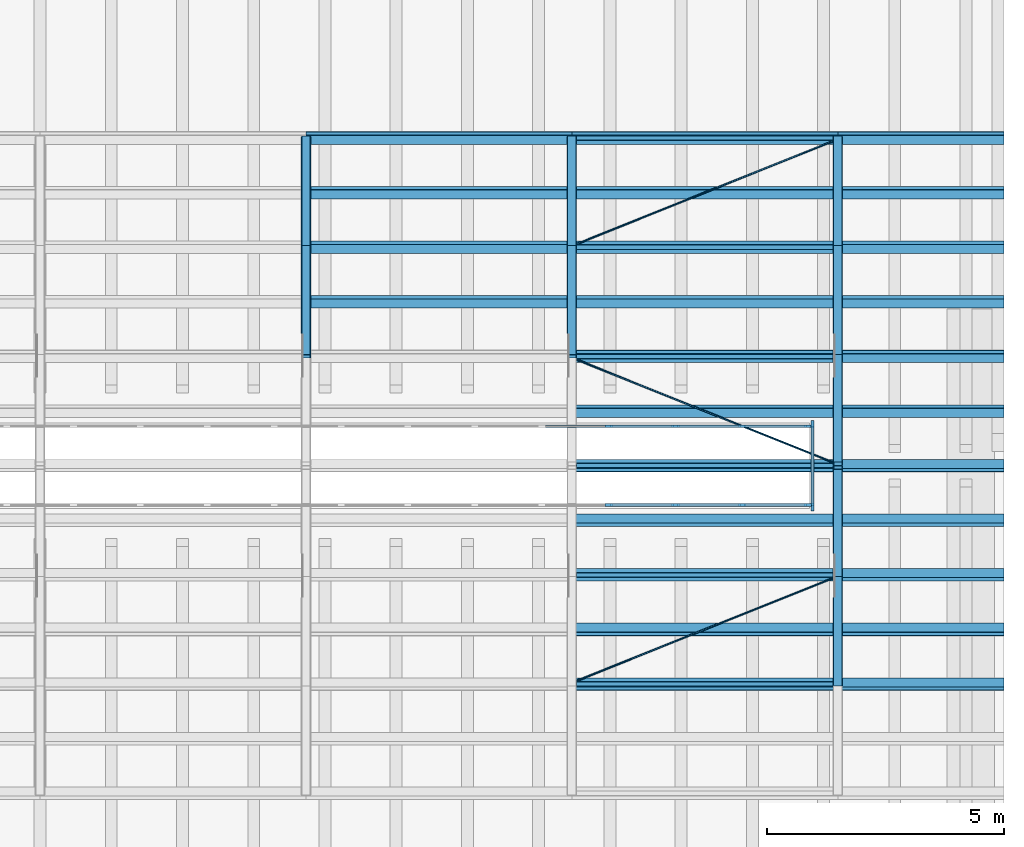
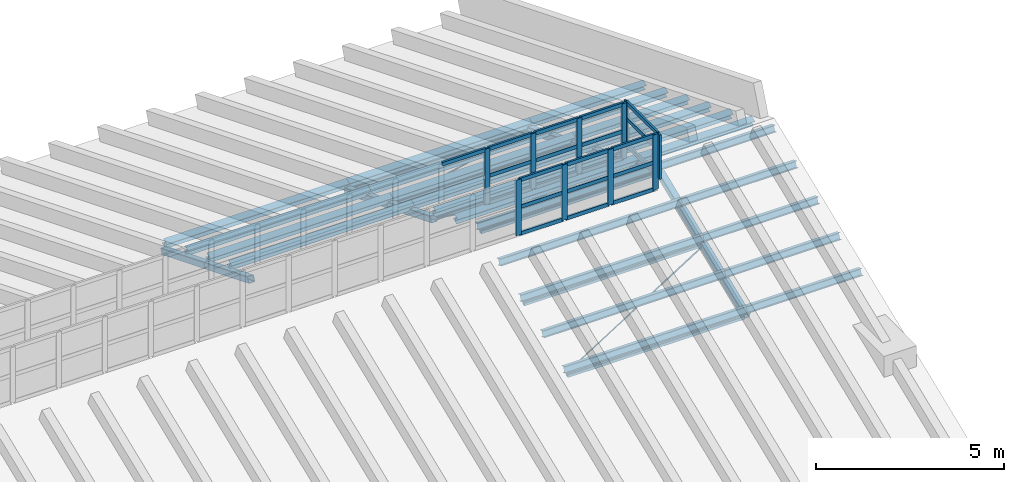
# One storey, part 42 of 105: 76 members, 3 elements without a shape of their own.
"""IFC4 building model written with IfcOpenShell, lengths in metres."""

from ifc_helpers import new_model, si_unit, direction, frame, origin, origin_2d, place, context, subcontext, project, spatial, rectangle, hollow_rectangle, circle, i_section, extrude, material, layer, layer_set, material_profile, profile_set, type_object, element, aggregate, save


model = new_model("IFC4")

# Units and contexts
model_context = context("Model", 3, precision=1e-05, world=origin(), true_north=direction((0.0, 1.0)))
body_context = subcontext(model_context, "Body", "Model", "MODEL_VIEW")
ifc_project = project(units=[si_unit("LENGTHUNIT", "METRE"), si_unit("AREAUNIT", "SQUARE_METRE"), si_unit("VOLUMEUNIT", "CUBIC_METRE"), si_unit("PLANEANGLEUNIT", "RADIAN"), si_unit("MASSUNIT", "GRAM", prefix="KILO")], contexts=[model_context])

# Site, building, storey
site_placement = place(None, origin())
site = spatial("IfcSite", under=ifc_project, at=site_placement, CompositionType="ELEMENT")
building_placement = place(site_placement, origin())
building = spatial("IfcBuilding", under=site, at=building_placement, Name="Wasatch Bagh Community Centre", CompositionType="ELEMENT")
storey_placement = place(building_placement, frame((0.0, 0.0, 16.800048828125)))
storey = spatial("IfcBuildingStorey", under=building, at=storey_placement, Name="L04", CompositionType="ELEMENT", Elevation=16.800048828125)

# Members
ifc_material_1 = material(Name="ASTM A500 Grade C steel", Category="steel")
ifc_material_profile_1 = material_profile(ifc_material_1, hollow_rectangle(XDim=0.1015625, YDim=0.1015625, WallThickness=0.005859375, InnerFilletRadius=0.005859375, OuterFilletRadius=0.01171875, at=origin_2d()), Name="HSS4x4x1/4")
ifc_profile_set_1 = profile_set([ifc_material_profile_1], Name="ASTM A500 Grade C steel")
member_type_1 = type_object("IfcMemberType", Name="SH HSS4x4x1/4 strut", PredefinedType="STRUT", material=ifc_profile_set_1)
for number, where, z_axis, x_axis, name in (
    (1, (140.29541015625, 47.39990234375, 1.017333984375), (1.0, 0.0, 0.0), (0.0, 1.0, 0.0), "SH.BR.eT.ST05W"),
    (2, (140.29541015625, 49.699951171875, 1.94677734375), (1.0, 0.0, 0.0), (0.0, 1.0, 0.0), "SH.BR.eT.ST05E"),
    (3, (140.29541015625, 52.0, 2.884033203125), (1.0, 0.0, 0.0), (0.0, 1.0, 0.0), "SH.BR.eT.ST07W"),
    (4, (140.29541015625, 54.300048828125, 1.94677734375), (1.0, 0.0, 0.0), (0.0, 1.0, 0.0), "SH.BR.eT.ST07E"),
    (5, (140.29541015625, 56.60009765625, 1.017333984375), (1.0, 0.0, 0.0), (0.0, 1.0, 0.0), "SH.BR.eT.ST09W"),
    (6, (140.29541015625, 58.89990234375, 0.088134765625), (1.0, 0.0, 0.0), (0.0, 1.0, 0.0), "SH.BR.eT.ST09E"),
):
    element("IfcMember", number, at=place(storey_placement, frame(where, z_axis=z_axis, x_axis=x_axis)), inside=storey, type_object=member_type_1, Name=name, PredefinedType="STRUT", context=body_context, shape_type="SweptSolid", body=[
        extrude(hollow_rectangle(XDim=0.1015625, YDim=0.1015625, WallThickness=0.005859375, InnerFilletRadius=0.005859375, OuterFilletRadius=0.01171875, at=origin_2d()), origin(), (0.0, 0.0, 1.0), 5.4091796875),
    ])
ifc_material_profile_2 = material_profile(ifc_material_1, hollow_rectangle(XDim=0.203125, YDim=0.203125, WallThickness=0.01171875, InnerFilletRadius=0.01171875, OuterFilletRadius=0.023681640625, at=origin_2d()), Name="HSS8x8x1/2")
ifc_profile_set_2 = profile_set([ifc_material_profile_2], Name="ASTM A500 Grade C steel")
member_type_2 = type_object("IfcMemberType", Name="SH HSS8x8x1/2 chord", PredefinedType="CHORD", material=ifc_profile_set_2)
member_1_placement = place(storey_placement, frame((134.60009765625, 54.300537109375, 1.946533203125), z_axis=(0.0, 0.927174106992, -0.374630718605), x_axis=(-1.0, 0.0, 0.0)))
element("IfcMember", 7, at=member_1_placement, inside=storey, type_object=member_type_2, Name="SH.SA5.TC09", PredefinedType="CHORD", context=body_context, shape_type="SweptSolid", body=[
    extrude(hollow_rectangle(XDim=0.203125, YDim=0.203125, WallThickness=0.01171875, InnerFilletRadius=0.01171875, OuterFilletRadius=0.023681640625, at=origin_2d()), origin(), (0.0, 0.0, 1.0), 2.479736328125),
])
member_2_placement = place(storey_placement, frame((134.60009765625, 56.600341796875, 1.017333984375), z_axis=(0.0, 0.927187923428, -0.374596522472), x_axis=(-1.0, 0.0, 0.0)))
element("IfcMember", 8, at=member_2_placement, inside=storey, type_object=member_type_2, Name="SH.SA5.TC10", PredefinedType="CHORD", context=body_context, shape_type="SweptSolid", body=[
    extrude(hollow_rectangle(XDim=0.203125, YDim=0.203125, WallThickness=0.01171875, InnerFilletRadius=0.01171875, OuterFilletRadius=0.023681640625, at=origin_2d()), origin(), (0.0, 0.0, 1.0), 2.47998046875),
])
member_3_placement = place(storey_placement, frame((140.199951171875, 54.300537109375, 1.946533203125), z_axis=(0.0, 0.927174106992, -0.374630718605), x_axis=(-1.0, 0.0, 0.0)))
element("IfcMember", 9, at=member_3_placement, inside=storey, type_object=member_type_2, Name="SH.SA6.TC09", PredefinedType="CHORD", context=body_context, shape_type="SweptSolid", body=[
    extrude(hollow_rectangle(XDim=0.203125, YDim=0.203125, WallThickness=0.01171875, InnerFilletRadius=0.01171875, OuterFilletRadius=0.023681640625, at=origin_2d()), origin(), (0.0, 0.0, 1.0), 2.479736328125),
])
member_4_placement = place(storey_placement, frame((140.199951171875, 56.600341796875, 1.017333984375), z_axis=(0.0, 0.927187923428, -0.374596522472), x_axis=(-1.0, 0.0, 0.0)))
element("IfcMember", 10, at=member_4_placement, inside=storey, type_object=member_type_2, Name="SH.SA6.TC10", PredefinedType="CHORD", context=body_context, shape_type="SweptSolid", body=[
    extrude(hollow_rectangle(XDim=0.203125, YDim=0.203125, WallThickness=0.01171875, InnerFilletRadius=0.01171875, OuterFilletRadius=0.023681640625, at=origin_2d()), origin(), (0.0, 0.0, 1.0), 2.47998046875),
])
member_5_placement = place(storey_placement, frame((145.800048828125, 47.400390625, 1.017578125), z_axis=(0.0, 0.927174106992, 0.374630718605), x_axis=(-1.0, 0.0, 0.0)))
element("IfcMember", 11, at=member_5_placement, inside=storey, type_object=member_type_2, Name="SH.SA7.TC06", PredefinedType="CHORD", context=body_context, shape_type="SweptSolid", body=[
    extrude(hollow_rectangle(XDim=0.203125, YDim=0.203125, WallThickness=0.01171875, InnerFilletRadius=0.01171875, OuterFilletRadius=0.023681640625, at=origin_2d()), origin(), (0.0, 0.0, 1.0), 2.479736328125),
])
for number, where, z_axis, x_axis, name in (
    (12, (145.800048828125, 49.70068359375, 1.947021484375), (0.0, 0.926063881505, 0.377366780961), (-1.0, 0.0, 0.0), "SH.SA7.TC07"),
    (13, (145.800048828125, 52.038818359375, 2.8681640625), (0.0, 0.926063881505, -0.377366780961), (-1.0, 0.0, 0.0), "SH.SA7.TC08"),
):
    element("IfcMember", number, at=place(storey_placement, frame(where, z_axis=z_axis, x_axis=x_axis)), inside=storey, type_object=member_type_2, Name=name, PredefinedType="CHORD", context=body_context, shape_type="SweptSolid", body=[
        extrude(hollow_rectangle(XDim=0.203125, YDim=0.203125, WallThickness=0.01171875, InnerFilletRadius=0.01171875, OuterFilletRadius=0.023681640625, at=origin_2d()), origin(), (0.0, 0.0, 1.0), 2.44091796875),
    ])
member_6_placement = place(storey_placement, frame((145.800048828125, 54.300537109375, 1.946533203125), z_axis=(0.0, 0.927174106992, -0.374630718605), x_axis=(-1.0, 0.0, 0.0)))
element("IfcMember", 14, at=member_6_placement, inside=storey, type_object=member_type_2, Name="SH.SA7.TC09", PredefinedType="CHORD", context=body_context, shape_type="SweptSolid", body=[
    extrude(hollow_rectangle(XDim=0.203125, YDim=0.203125, WallThickness=0.01171875, InnerFilletRadius=0.01171875, OuterFilletRadius=0.023681640625, at=origin_2d()), origin(), (0.0, 0.0, 1.0), 2.479736328125),
])
member_7_placement = place(storey_placement, frame((145.800048828125, 56.600341796875, 1.017333984375), z_axis=(0.0, 0.927187923428, -0.374596522472), x_axis=(-1.0, 0.0, 0.0)))
element("IfcMember", 15, at=member_7_placement, inside=storey, type_object=member_type_2, Name="SH.SA7.TC10", PredefinedType="CHORD", context=body_context, shape_type="SweptSolid", body=[
    extrude(hollow_rectangle(XDim=0.203125, YDim=0.203125, WallThickness=0.01171875, InnerFilletRadius=0.01171875, OuterFilletRadius=0.023681640625, at=origin_2d()), origin(), (0.0, 0.0, 1.0), 2.47998046875),
])
ifc_material_2 = material(Name="ASTM A572 Grade 50 steel", Category="steel")
ifc_material_profile_3 = material_profile(ifc_material_2, circle(Radius=0.01611328125, at=origin_2d()), Name="ROD 32")
ifc_profile_set_3 = profile_set([ifc_material_profile_3], Name="ASTM A572 Grade 50 steel")
member_type_3 = type_object("IfcMemberType", Name="SH ROD 32 brace", PredefinedType="BRACE", material=ifc_profile_set_3)
member_8_placement = place(storey_placement, frame((140.3037109375, 47.46875, 1.045166015625), z_axis=(0.917824576561, 0.368077240999, 0.148718496899), x_axis=(-0.372216447055, 0.928145956486, 0.0)))
element("IfcMember", 16, at=member_8_placement, inside=storey, type_object=member_type_3, Name="SH.BR.eT.DG05", PredefinedType="BRACE", context=body_context, shape_type="SweptSolid", body=[
    extrude(circle(Radius=0.01611328125, at=origin_2d()), origin(), (0.0, 0.0, 1.0), 5.87548828125),
])
member_9_placement = place(storey_placement, frame((140.3037109375, 54.231201171875, 1.974609375), z_axis=(0.917662066696, -0.367970523575, 0.149980082433), x_axis=(0.372180247551, 0.928160472835, 0.0)))
element("IfcMember", 17, at=member_9_placement, inside=storey, type_object=member_type_3, Name="SH.BR.eT.DG07", PredefinedType="BRACE", context=body_context, shape_type="SweptSolid", body=[
    extrude(circle(Radius=0.01611328125, at=origin_2d()), origin(), (0.0, 0.0, 1.0), 5.87646484375),
])
member_10_placement = place(storey_placement, frame((140.3037109375, 56.668701171875, 0.98974609375), z_axis=(0.917824576561, 0.368077240999, -0.148718496899), x_axis=(-0.372216447055, 0.928145956486, 0.0)))
element("IfcMember", 18, at=member_10_placement, inside=storey, type_object=member_type_3, Name="SH.BR.eT.DG09", PredefinedType="BRACE", context=body_context, shape_type="SweptSolid", body=[
    extrude(circle(Radius=0.01611328125, at=origin_2d()), origin(), (0.0, 0.0, 1.0), 5.87548828125),
])
ifc_material_3 = material(Name="ASTM A992 Grade 50 steel", Category="steel")
ifc_material_profile_4 = material_profile(ifc_material_3, i_section(OverallWidth=0.203125, OverallDepth=0.203125, WebThickness=0.00732421875, FlangeThickness=0.010986328125, at=origin_2d()), Name="W8x31")
ifc_profile_set_4 = profile_set([ifc_material_profile_4], Name="ASTM A992 Grade 50 steel")
member_type_4 = type_object("IfcMemberType", Name="SH W8x31 purlin", PredefinedType="PURLIN", material=ifc_profile_set_4)
for number, where, z_axis, x_axis, name in (
    (19, (134.60009765625, 55.449951171875, 1.701171875), (1.0, 0.0, 0.0), (0.0, 0.927183854567, 0.374606593416), "SH.PUR.b5.PU19"),
    (20, (134.60009765625, 56.60009765625, 1.236572265625), (1.0, 0.0, 0.0), (0.0, 0.927183854567, 0.374606593416), "SH.PUR.b5.PU20"),
    (21, (134.60009765625, 57.75, 0.77197265625), (1.0, 0.0, 0.0), (0.0, 0.927183854567, 0.374606593416), "SH.PUR.b5.PU21"),
    (22, (134.60009765625, 58.89990234375, 0.307373046875), (1.0, 0.0, 0.0), (0.0, 0.927183854567, 0.374606593416), "SH.PUR.b5.PU22"),
):
    element("IfcMember", number, at=place(storey_placement, frame(where, z_axis=z_axis, x_axis=x_axis)), inside=storey, type_object=member_type_4, Name=name, PredefinedType="PURLIN", context=body_context, shape_type="SweptSolid", body=[
        extrude(i_section(OverallWidth=0.203125, OverallDepth=0.203125, WebThickness=0.00732421875, FlangeThickness=0.010986328125, at=origin_2d()), origin(), (0.0, 0.0, 1.0), 5.599853515625),
    ])
for number, where, z_axis, x_axis, name in (
    (23, (140.199951171875, 47.39990234375, 1.236572265625), (1.0, 0.0, 0.0), (0.0, 0.927183854567, -0.374606593416), "SH.PUR.b6.PU12"),
    (24, (140.199951171875, 48.550048828125, 1.701171875), (1.0, 0.0, 0.0), (0.0, 0.927183854567, -0.374606593416), "SH.PUR.b6.PU13"),
    (25, (140.199951171875, 49.699951171875, 2.165771484375), (1.0, 0.0, 0.0), (0.0, 0.927183854567, -0.374606593416), "SH.PUR.b6.PU14"),
    (26, (140.199951171875, 50.85009765625, 2.63037109375), (1.0, 0.0, 0.0), (0.0, 0.927183854567, -0.374606593416), "SH.PUR.b6.PU15"),
    (27, (140.199951171875, 52.0, 3.094970703125), (1.0, 0.0, 0.0), (0.0, 0.927183854567, -0.374606593416), "SH.PUR.b6.PU16"),
    (28, (140.199951171875, 53.14990234375, 2.63037109375), (1.0, 0.0, 0.0), (0.0, 0.927183854567, 0.374606593416), "SH.PUR.b6.PU17"),
    (29, (140.199951171875, 54.300048828125, 2.165771484375), (1.0, 0.0, 0.0), (0.0, 0.927183854567, 0.374606593416), "SH.PUR.b6.PU18"),
    (30, (140.199951171875, 55.449951171875, 1.701171875), (1.0, 0.0, 0.0), (0.0, 0.927183854567, 0.374606593416), "SH.PUR.b6.PU19"),
    (31, (140.199951171875, 56.60009765625, 1.236572265625), (1.0, 0.0, 0.0), (0.0, 0.927183854567, 0.374606593416), "SH.PUR.b6.PU20"),
    (32, (140.199951171875, 57.75, 0.77197265625), (1.0, 0.0, 0.0), (0.0, 0.927183854567, 0.374606593416), "SH.PUR.b6.PU21"),
    (33, (140.199951171875, 58.89990234375, 0.307373046875), (1.0, 0.0, 0.0), (0.0, 0.927183854567, 0.374606593416), "SH.PUR.b6.PU22"),
):
    element("IfcMember", number, at=place(storey_placement, frame(where, z_axis=z_axis, x_axis=x_axis)), inside=storey, type_object=member_type_4, Name=name, PredefinedType="PURLIN", context=body_context, shape_type="SweptSolid", body=[
        extrude(i_section(OverallWidth=0.203125, OverallDepth=0.203125, WebThickness=0.00732421875, FlangeThickness=0.010986328125, at=origin_2d()), origin(), (0.0, 0.0, 1.0), 5.60009765625),
    ])
for number, where, z_axis, x_axis, name in (
    (34, (145.800048828125, 47.39990234375, 1.236572265625), (1.0, 0.0, 0.0), (0.0, 0.927183854567, -0.374606593416), "SH.PUR.v2.PU12"),
    (35, (145.800048828125, 48.550048828125, 1.701171875), (1.0, 0.0, 0.0), (0.0, 0.927183854567, -0.374606593416), "SH.PUR.v2.PU13"),
    (36, (145.800048828125, 49.699951171875, 2.165771484375), (1.0, 0.0, 0.0), (0.0, 0.927183854567, -0.374606593416), "SH.PUR.v2.PU14"),
    (37, (145.800048828125, 50.85009765625, 2.63037109375), (1.0, 0.0, 0.0), (0.0, 0.927183854567, -0.374606593416), "SH.PUR.v2.PU15"),
    (38, (145.800048828125, 52.0, 3.094970703125), (1.0, 0.0, 0.0), (0.0, 0.927183854567, -0.374606593416), "SH.PUR.v2.PU16"),
    (39, (145.800048828125, 53.14990234375, 2.63037109375), (1.0, 0.0, 0.0), (0.0, 0.927183854567, 0.374606593416), "SH.PUR.v2.PU17"),
    (40, (145.800048828125, 54.300048828125, 2.165771484375), (1.0, 0.0, 0.0), (0.0, 0.927183854567, 0.374606593416), "SH.PUR.v2.PU18"),
    (41, (145.800048828125, 55.449951171875, 1.701171875), (1.0, 0.0, 0.0), (0.0, 0.927183854567, 0.374606593416), "SH.PUR.v2.PU19"),
    (42, (145.800048828125, 56.60009765625, 1.236572265625), (1.0, 0.0, 0.0), (0.0, 0.927183854567, 0.374606593416), "SH.PUR.v2.PU20"),
    (43, (145.800048828125, 57.75, 0.77197265625), (1.0, 0.0, 0.0), (0.0, 0.927183854567, 0.374606593416), "SH.PUR.v2.PU21"),
    (44, (145.800048828125, 58.89990234375, 0.307373046875), (1.0, 0.0, 0.0), (0.0, 0.927183854567, 0.374606593416), "SH.PUR.v2.PU22"),
):
    element("IfcMember", number, at=place(storey_placement, frame(where, z_axis=z_axis, x_axis=x_axis)), inside=storey, type_object=member_type_4, Name=name, PredefinedType="PURLIN", context=body_context, shape_type="SweptSolid", body=[
        extrude(i_section(OverallWidth=0.203125, OverallDepth=0.203125, WebThickness=0.00732421875, FlangeThickness=0.010986328125, at=origin_2d()), origin(), (0.0, 0.0, 1.0), 3.5),
    ])

# Curtain wall, members
ifc_material_4 = material(Name="Aluminium alloy 6063-T6", Category="aluminium")
ifc_layer = layer(ifc_material_4, 0.10009765625)
ifc_layer_set = layer_set([ifc_layer], Name="Aluminium alloy 6063-T6")
curtain_wall_type = type_object("IfcCurtainWallType", Name="SH-CW3", PredefinedType="NOTDEFINED", material=ifc_layer_set)
curtain_wall_1_placement = place(storey_placement, origin())
curtain_wall_1 = element("IfcCurtainWall", 45, at=curtain_wall_1_placement, inside=storey, type_object=curtain_wall_type, Name="Curtain wall SH-CW3", PredefinedType="NOTDEFINED")
ifc_material_profile_5 = material_profile(ifc_material_4, rectangle(XDim=0.06005859375, YDim=0.159912109375, at=origin_2d()), Name="AL 60x160")
ifc_profile_set_5 = profile_set([ifc_material_profile_5], Name="Aluminium alloy 6063-T6")
member_type_5 = type_object("IfcMemberType", Name="SH-CW3 mullion", PredefinedType="MULLION", material=ifc_profile_set_5)
member_11_placement = place(storey_placement, frame((140.973876953125, 51.169921875, 3.052734375), z_axis=(0.0, 0.0, 1.0), x_axis=(0.0, 1.0, 0.0)))
member_11 = element("IfcMember", 46, at=member_11_placement, type_object=member_type_5, Name="SH-CW3 mullion 21", PredefinedType="MULLION", context=body_context, shape_type="SweptSolid", body=[
    extrude(rectangle(XDim=0.06005859375, YDim=0.159912109375, at=origin_2d()), origin(), (0.0, 0.0, 1.0), 1.800048828125),
])
member_12_placement = place(storey_placement, frame((142.382568359375, 51.169921875, 3.052734375), z_axis=(0.0, 0.0, 1.0), x_axis=(0.0, 1.0, 0.0)))
member_12 = element("IfcMember", 47, at=member_12_placement, type_object=member_type_5, Name="SH-CW3 mullion 22", PredefinedType="MULLION", context=body_context, shape_type="SweptSolid", body=[
    extrude(rectangle(XDim=0.06005859375, YDim=0.159912109375, at=origin_2d()), origin(), (0.0, 0.0, 1.0), 1.800048828125),
])
member_13_placement = place(storey_placement, frame((143.791259765625, 51.169921875, 3.052734375), z_axis=(0.0, 0.0, 1.0), x_axis=(0.0, 1.0, 0.0)))
member_13 = element("IfcMember", 48, at=member_13_placement, type_object=member_type_5, Name="SH-CW3 mullion 23", PredefinedType="MULLION", context=body_context, shape_type="SweptSolid", body=[
    extrude(rectangle(XDim=0.06005859375, YDim=0.159912109375, at=origin_2d()), origin(), (0.0, 0.0, 1.0), 1.800048828125),
])
member_14_placement = place(storey_placement, frame((145.169921875, 51.169921875, 3.052734375), z_axis=(0.0, 0.0, 1.0), x_axis=(0.0, 1.0, 0.0)))
member_14 = element("IfcMember", 49, at=member_14_placement, type_object=member_type_5, Name="SH-CW3 mullion 24", PredefinedType="MULLION", context=body_context, shape_type="SweptSolid", body=[
    extrude(rectangle(XDim=0.06005859375, YDim=0.159912109375, at=origin_2d()), origin(), (0.0, 0.0, 1.0), 1.800048828125),
])

curtain_wall_2_placement = place(storey_placement, origin())
curtain_wall_2 = element("IfcCurtainWall", 50, at=curtain_wall_2_placement, inside=storey, type_object=curtain_wall_type, Name="Curtain wall SH-CW3", PredefinedType="NOTDEFINED")
member_15_placement = place(storey_placement, frame((140.973876953125, 52.830078125, 3.052734375), z_axis=(0.0, 0.0, 1.0), x_axis=(0.0, 1.0, 0.0)))
member_15 = element("IfcMember", 51, at=member_15_placement, type_object=member_type_5, Name="SH-CW3 mullion 21", PredefinedType="MULLION", context=body_context, shape_type="SweptSolid", body=[
    extrude(rectangle(XDim=0.06005859375, YDim=0.159912109375, at=origin_2d()), origin(), (0.0, 0.0, 1.0), 1.800048828125),
])
member_16_placement = place(storey_placement, frame((142.382568359375, 52.830078125, 3.052734375), z_axis=(0.0, 0.0, 1.0), x_axis=(0.0, 1.0, 0.0)))
member_16 = element("IfcMember", 52, at=member_16_placement, type_object=member_type_5, Name="SH-CW3 mullion 22", PredefinedType="MULLION", context=body_context, shape_type="SweptSolid", body=[
    extrude(rectangle(XDim=0.06005859375, YDim=0.159912109375, at=origin_2d()), origin(), (0.0, 0.0, 1.0), 1.800048828125),
])
member_17_placement = place(storey_placement, frame((143.791259765625, 52.830078125, 3.052734375), z_axis=(0.0, 0.0, 1.0), x_axis=(0.0, 1.0, 0.0)))
member_17 = element("IfcMember", 53, at=member_17_placement, type_object=member_type_5, Name="SH-CW3 mullion 23", PredefinedType="MULLION", context=body_context, shape_type="SweptSolid", body=[
    extrude(rectangle(XDim=0.06005859375, YDim=0.159912109375, at=origin_2d()), origin(), (0.0, 0.0, 1.0), 1.800048828125),
])
member_18_placement = place(storey_placement, frame((145.169921875, 52.830078125, 3.052734375), z_axis=(0.0, 0.0, 1.0), x_axis=(0.0, 1.0, 0.0)))
member_18 = element("IfcMember", 54, at=member_18_placement, type_object=member_type_5, Name="SH-CW3 mullion 24", PredefinedType="MULLION", context=body_context, shape_type="SweptSolid", body=[
    extrude(rectangle(XDim=0.06005859375, YDim=0.159912109375, at=origin_2d()), origin(), (0.0, 0.0, 1.0), 1.800048828125),
])

curtain_wall_3_placement = place(storey_placement, origin())
curtain_wall_3 = element("IfcCurtainWall", 55, at=curtain_wall_3_placement, inside=storey, type_object=curtain_wall_type, Name="Curtain wall SH-CW3", PredefinedType="NOTDEFINED")
member_19_placement = place(storey_placement, frame((145.27001953125, 51.1298828125, 3.41650390625), z_axis=(0.0, 0.0, 1.0), x_axis=(-1.0, 0.0, 0.0)))
member_19 = element("IfcMember", 56, at=member_19_placement, type_object=member_type_5, Name="SH-CW3 mullion 1", PredefinedType="MULLION", context=body_context, shape_type="SweptSolid", body=[
    extrude(rectangle(XDim=0.06005859375, YDim=0.159912109375, at=origin_2d()), origin(), (0.0, 0.0, 1.0), 1.436279296875),
])
member_20_placement = place(storey_placement, frame((145.27001953125, 52.8701171875, 3.41650390625), z_axis=(0.0, 0.0, 1.0), x_axis=(-1.0, 0.0, 0.0)))
member_20 = element("IfcMember", 57, at=member_20_placement, type_object=member_type_5, Name="SH-CW3 mullion 2", PredefinedType="MULLION", context=body_context, shape_type="SweptSolid", body=[
    extrude(rectangle(XDim=0.06005859375, YDim=0.159912109375, at=origin_2d()), origin(), (0.0, 0.0, 1.0), 1.436279296875),
])

# Member
ifc_material_profile_6 = material_profile(ifc_material_4, rectangle(XDim=0.06005859375, YDim=0.1201171875, at=origin_2d()), Name="AL 60x120")
ifc_profile_set_6 = profile_set([ifc_material_profile_6], Name="Aluminium alloy 6063-T6")
member_type_6 = type_object("IfcMemberType", Name="SH-CW3 transom", PredefinedType="USERDEFINED", material=ifc_profile_set_6)
member_21_placement = place(storey_placement, frame((141.00390625, 51.169921875, 3.082763671875), z_axis=(1.0, 0.0, 0.0), x_axis=(0.0, 1.0, 0.0)))
member_21 = element("IfcMember", 58, at=member_21_placement, type_object=member_type_6, Name="SH-CW3 transom 21.1", ObjectType="TRANSOM", PredefinedType="USERDEFINED", context=body_context, shape_type="SweptSolid", body=[
    extrude(rectangle(XDim=0.06005859375, YDim=0.1201171875, at=origin_2d()), origin(), (0.0, 0.0, 1.0), 1.3486328125),
])

member_22_placement = place(storey_placement, frame((141.00390625, 51.169921875, 3.952880859375), z_axis=(1.0, 0.0, 0.0), x_axis=(0.0, 1.0, 0.0)))
member_22 = element("IfcMember", 59, at=member_22_placement, type_object=member_type_6, Name="SH-CW3 transom 21.2", ObjectType="TRANSOM", PredefinedType="USERDEFINED", context=body_context, shape_type="SweptSolid", body=[
    extrude(rectangle(XDim=0.06005859375, YDim=0.1201171875, at=origin_2d()), origin(), (0.0, 0.0, 1.0), 1.3486328125),
])

member_23_placement = place(storey_placement, frame((141.00390625, 51.169921875, 4.82275390625), z_axis=(1.0, 0.0, 0.0), x_axis=(0.0, 1.0, 0.0)))
member_23 = element("IfcMember", 60, at=member_23_placement, type_object=member_type_6, Name="SH-CW3 transom 21.3", ObjectType="TRANSOM", PredefinedType="USERDEFINED", context=body_context, shape_type="SweptSolid", body=[
    extrude(rectangle(XDim=0.06005859375, YDim=0.1201171875, at=origin_2d()), origin(), (0.0, 0.0, 1.0), 1.3486328125),
])

member_24_placement = place(storey_placement, frame((142.41259765625, 51.169921875, 3.082763671875), z_axis=(1.0, 0.0, 0.0), x_axis=(0.0, 1.0, 0.0)))
member_24 = element("IfcMember", 61, at=member_24_placement, type_object=member_type_6, Name="SH-CW3 transom 22.1", ObjectType="TRANSOM", PredefinedType="USERDEFINED", context=body_context, shape_type="SweptSolid", body=[
    extrude(rectangle(XDim=0.06005859375, YDim=0.1201171875, at=origin_2d()), origin(), (0.0, 0.0, 1.0), 1.3486328125),
])

member_25_placement = place(storey_placement, frame((142.41259765625, 51.169921875, 3.952880859375), z_axis=(1.0, 0.0, 0.0), x_axis=(0.0, 1.0, 0.0)))
member_25 = element("IfcMember", 62, at=member_25_placement, type_object=member_type_6, Name="SH-CW3 transom 22.2", ObjectType="TRANSOM", PredefinedType="USERDEFINED", context=body_context, shape_type="SweptSolid", body=[
    extrude(rectangle(XDim=0.06005859375, YDim=0.1201171875, at=origin_2d()), origin(), (0.0, 0.0, 1.0), 1.3486328125),
])

member_26_placement = place(storey_placement, frame((142.41259765625, 51.169921875, 4.82275390625), z_axis=(1.0, 0.0, 0.0), x_axis=(0.0, 1.0, 0.0)))
member_26 = element("IfcMember", 63, at=member_26_placement, type_object=member_type_6, Name="SH-CW3 transom 22.3", ObjectType="TRANSOM", PredefinedType="USERDEFINED", context=body_context, shape_type="SweptSolid", body=[
    extrude(rectangle(XDim=0.06005859375, YDim=0.1201171875, at=origin_2d()), origin(), (0.0, 0.0, 1.0), 1.3486328125),
])

member_27_placement = place(storey_placement, frame((143.8212890625, 51.169921875, 3.082763671875), z_axis=(1.0, 0.0, 0.0), x_axis=(0.0, 1.0, 0.0)))
member_27 = element("IfcMember", 64, at=member_27_placement, type_object=member_type_6, Name="SH-CW3 transom 23.1", ObjectType="TRANSOM", PredefinedType="USERDEFINED", context=body_context, shape_type="SweptSolid", body=[
    extrude(rectangle(XDim=0.06005859375, YDim=0.1201171875, at=origin_2d()), origin(), (0.0, 0.0, 1.0), 1.318603515625),
])

member_28_placement = place(storey_placement, frame((143.8212890625, 51.169921875, 3.952880859375), z_axis=(1.0, 0.0, 0.0), x_axis=(0.0, 1.0, 0.0)))
member_28 = element("IfcMember", 65, at=member_28_placement, type_object=member_type_6, Name="SH-CW3 transom 23.2", ObjectType="TRANSOM", PredefinedType="USERDEFINED", context=body_context, shape_type="SweptSolid", body=[
    extrude(rectangle(XDim=0.06005859375, YDim=0.1201171875, at=origin_2d()), origin(), (0.0, 0.0, 1.0), 1.318603515625),
])

member_29_placement = place(storey_placement, frame((143.8212890625, 51.169921875, 4.82275390625), z_axis=(1.0, 0.0, 0.0), x_axis=(0.0, 1.0, 0.0)))
member_29 = element("IfcMember", 66, at=member_29_placement, type_object=member_type_6, Name="SH-CW3 transom 23.3", ObjectType="TRANSOM", PredefinedType="USERDEFINED", context=body_context, shape_type="SweptSolid", body=[
    extrude(rectangle(XDim=0.06005859375, YDim=0.1201171875, at=origin_2d()), origin(), (0.0, 0.0, 1.0), 1.318603515625),
])

aggregate(curtain_wall_1, [member_11, member_12, member_13, member_14, member_21, member_22, member_23, member_24, member_25, member_26, member_27, member_28, member_29])

member_30_placement = place(storey_placement, frame((139.59521484375, 52.830078125, 4.82275390625), z_axis=(1.0, 0.0, 0.0), x_axis=(0.0, 1.0, 0.0)))
member_30 = element("IfcMember", 67, at=member_30_placement, type_object=member_type_6, Name="SH-CW3 transom 20.3", ObjectType="TRANSOM", PredefinedType="USERDEFINED", context=body_context, shape_type="SweptSolid", body=[
    extrude(rectangle(XDim=0.06005859375, YDim=0.1201171875, at=origin_2d()), origin(), (0.0, 0.0, 1.0), 1.3486328125),
])

member_31_placement = place(storey_placement, frame((141.00390625, 52.830078125, 3.082763671875), z_axis=(1.0, 0.0, 0.0), x_axis=(0.0, 1.0, 0.0)))
member_31 = element("IfcMember", 68, at=member_31_placement, type_object=member_type_6, Name="SH-CW3 transom 21.1", ObjectType="TRANSOM", PredefinedType="USERDEFINED", context=body_context, shape_type="SweptSolid", body=[
    extrude(rectangle(XDim=0.06005859375, YDim=0.1201171875, at=origin_2d()), origin(), (0.0, 0.0, 1.0), 1.3486328125),
])

member_32_placement = place(storey_placement, frame((141.00390625, 52.830078125, 3.952880859375), z_axis=(1.0, 0.0, 0.0), x_axis=(0.0, 1.0, 0.0)))
member_32 = element("IfcMember", 69, at=member_32_placement, type_object=member_type_6, Name="SH-CW3 transom 21.2", ObjectType="TRANSOM", PredefinedType="USERDEFINED", context=body_context, shape_type="SweptSolid", body=[
    extrude(rectangle(XDim=0.06005859375, YDim=0.1201171875, at=origin_2d()), origin(), (0.0, 0.0, 1.0), 1.3486328125),
])

member_33_placement = place(storey_placement, frame((141.00390625, 52.830078125, 4.82275390625), z_axis=(1.0, 0.0, 0.0), x_axis=(0.0, 1.0, 0.0)))
member_33 = element("IfcMember", 70, at=member_33_placement, type_object=member_type_6, Name="SH-CW3 transom 21.3", ObjectType="TRANSOM", PredefinedType="USERDEFINED", context=body_context, shape_type="SweptSolid", body=[
    extrude(rectangle(XDim=0.06005859375, YDim=0.1201171875, at=origin_2d()), origin(), (0.0, 0.0, 1.0), 1.3486328125),
])

member_34_placement = place(storey_placement, frame((142.41259765625, 52.830078125, 3.082763671875), z_axis=(1.0, 0.0, 0.0), x_axis=(0.0, 1.0, 0.0)))
member_34 = element("IfcMember", 71, at=member_34_placement, type_object=member_type_6, Name="SH-CW3 transom 22.1", ObjectType="TRANSOM", PredefinedType="USERDEFINED", context=body_context, shape_type="SweptSolid", body=[
    extrude(rectangle(XDim=0.06005859375, YDim=0.1201171875, at=origin_2d()), origin(), (0.0, 0.0, 1.0), 1.3486328125),
])

member_35_placement = place(storey_placement, frame((142.41259765625, 52.830078125, 3.952880859375), z_axis=(1.0, 0.0, 0.0), x_axis=(0.0, 1.0, 0.0)))
member_35 = element("IfcMember", 72, at=member_35_placement, type_object=member_type_6, Name="SH-CW3 transom 22.2", ObjectType="TRANSOM", PredefinedType="USERDEFINED", context=body_context, shape_type="SweptSolid", body=[
    extrude(rectangle(XDim=0.06005859375, YDim=0.1201171875, at=origin_2d()), origin(), (0.0, 0.0, 1.0), 1.3486328125),
])

member_36_placement = place(storey_placement, frame((142.41259765625, 52.830078125, 4.82275390625), z_axis=(1.0, 0.0, 0.0), x_axis=(0.0, 1.0, 0.0)))
member_36 = element("IfcMember", 73, at=member_36_placement, type_object=member_type_6, Name="SH-CW3 transom 22.3", ObjectType="TRANSOM", PredefinedType="USERDEFINED", context=body_context, shape_type="SweptSolid", body=[
    extrude(rectangle(XDim=0.06005859375, YDim=0.1201171875, at=origin_2d()), origin(), (0.0, 0.0, 1.0), 1.3486328125),
])

member_37_placement = place(storey_placement, frame((143.8212890625, 52.830078125, 3.082763671875), z_axis=(1.0, 0.0, 0.0), x_axis=(0.0, 1.0, 0.0)))
member_37 = element("IfcMember", 74, at=member_37_placement, type_object=member_type_6, Name="SH-CW3 transom 23.1", ObjectType="TRANSOM", PredefinedType="USERDEFINED", context=body_context, shape_type="SweptSolid", body=[
    extrude(rectangle(XDim=0.06005859375, YDim=0.1201171875, at=origin_2d()), origin(), (0.0, 0.0, 1.0), 1.318603515625),
])

member_38_placement = place(storey_placement, frame((143.8212890625, 52.830078125, 3.952880859375), z_axis=(1.0, 0.0, 0.0), x_axis=(0.0, 1.0, 0.0)))
member_38 = element("IfcMember", 75, at=member_38_placement, type_object=member_type_6, Name="SH-CW3 transom 23.2", ObjectType="TRANSOM", PredefinedType="USERDEFINED", context=body_context, shape_type="SweptSolid", body=[
    extrude(rectangle(XDim=0.06005859375, YDim=0.1201171875, at=origin_2d()), origin(), (0.0, 0.0, 1.0), 1.318603515625),
])

member_39_placement = place(storey_placement, frame((143.8212890625, 52.830078125, 4.82275390625), z_axis=(1.0, 0.0, 0.0), x_axis=(0.0, 1.0, 0.0)))
member_39 = element("IfcMember", 76, at=member_39_placement, type_object=member_type_6, Name="SH-CW3 transom 23.3", ObjectType="TRANSOM", PredefinedType="USERDEFINED", context=body_context, shape_type="SweptSolid", body=[
    extrude(rectangle(XDim=0.06005859375, YDim=0.1201171875, at=origin_2d()), origin(), (0.0, 0.0, 1.0), 1.318603515625),
])

aggregate(curtain_wall_2, [member_15, member_16, member_17, member_18, member_30, member_31, member_32, member_33, member_34, member_35, member_36, member_37, member_38, member_39])

member_40_placement = place(storey_placement, frame((145.27001953125, 51.159912109375, 3.446533203125), z_axis=(0.0, 1.0, 0.0), x_axis=(-1.0, 0.0, 0.0)))
member_40 = element("IfcMember", 77, at=member_40_placement, type_object=member_type_6, Name="SH-CW3 transom 1.1", ObjectType="TRANSOM", PredefinedType="USERDEFINED", context=body_context, shape_type="SweptSolid", body=[
    extrude(rectangle(XDim=0.06005859375, YDim=0.1201171875, at=origin_2d()), origin(), (0.0, 0.0, 1.0), 1.68017578125),
])

member_41_placement = place(storey_placement, frame((145.27001953125, 51.159912109375, 4.31640625), z_axis=(0.0, 1.0, 0.0), x_axis=(-1.0, 0.0, 0.0)))
member_41 = element("IfcMember", 78, at=member_41_placement, type_object=member_type_6, Name="SH-CW3 transom 1.2", ObjectType="TRANSOM", PredefinedType="USERDEFINED", context=body_context, shape_type="SweptSolid", body=[
    extrude(rectangle(XDim=0.06005859375, YDim=0.1201171875, at=origin_2d()), origin(), (0.0, 0.0, 1.0), 1.68017578125),
])

member_42_placement = place(storey_placement, frame((145.27001953125, 51.159912109375, 4.82275390625), z_axis=(0.0, 1.0, 0.0), x_axis=(-1.0, 0.0, 0.0)))
member_42 = element("IfcMember", 79, at=member_42_placement, type_object=member_type_6, Name="SH-CW3 transom 1.3", ObjectType="TRANSOM", PredefinedType="USERDEFINED", context=body_context, shape_type="SweptSolid", body=[
    extrude(rectangle(XDim=0.06005859375, YDim=0.1201171875, at=origin_2d()), origin(), (0.0, 0.0, 1.0), 1.68017578125),
])

aggregate(curtain_wall_3, [member_19, member_20, member_40, member_41, member_42])

save(model, "model.ifc")
